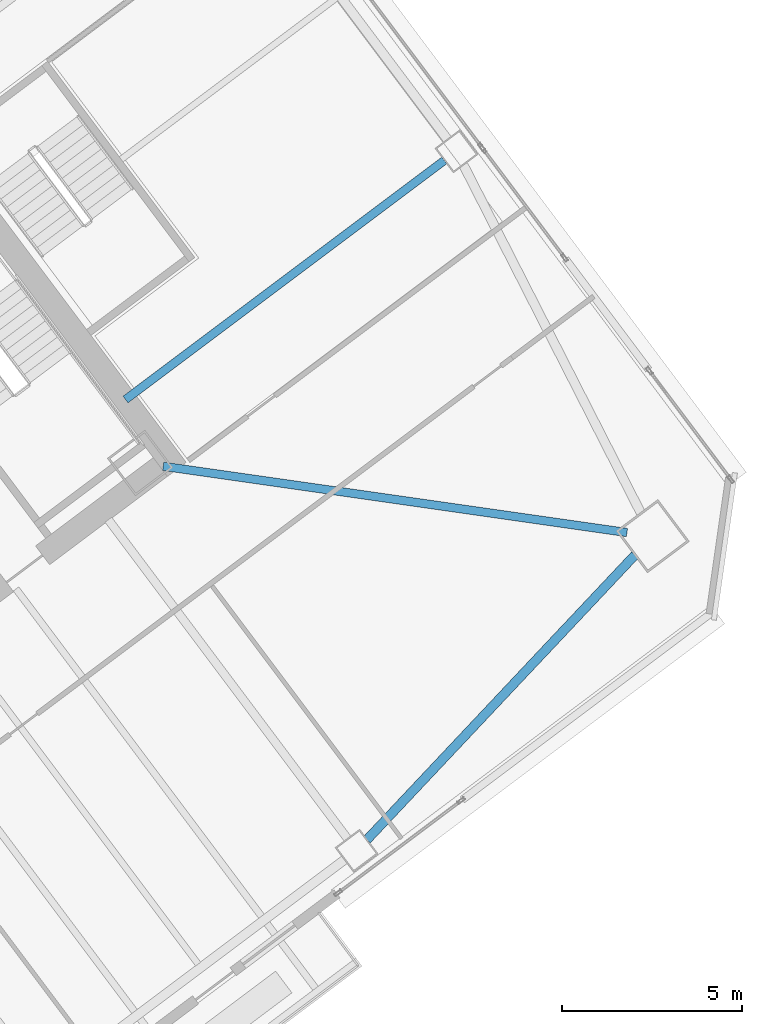
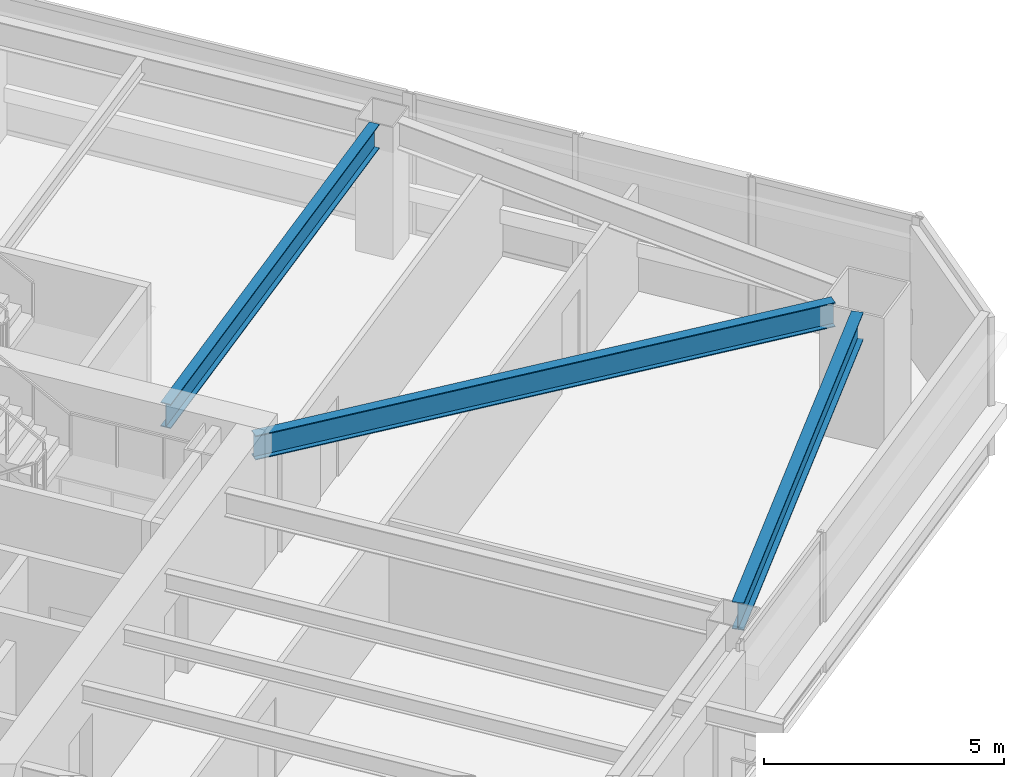
# One storey, part 28 of 48: 3 beams.
"""IFC4 building model written with IfcOpenShell, lengths in metres."""

from ifc_helpers import new_model, si_unit, direction, frame, origin, origin_2d, place, context, subcontext, project, spatial, i_section, extrude, material, material_profile, profile_set, type_object, element, save


model = new_model("IFC4")

# Units and contexts
model_context = context("Model", 3, precision=1e-05, world=origin(), true_north=direction((0.0, 1.0)))
body_context = subcontext(model_context, "Body", "Model", "MODEL_VIEW")
ifc_project = project(units=[si_unit("LENGTHUNIT", "METRE"), si_unit("AREAUNIT", "SQUARE_METRE"), si_unit("VOLUMEUNIT", "CUBIC_METRE"), si_unit("PLANEANGLEUNIT", "RADIAN"), si_unit("MASSUNIT", "GRAM", prefix="KILO")], contexts=[model_context])

# Site, building, storey
site_placement = place(None, origin())
site = spatial("IfcSite", under=ifc_project, at=site_placement, CompositionType="ELEMENT")
building_placement = place(site_placement, origin())
building = spatial("IfcBuilding", under=site, at=building_placement, Name="Tashvorn Skyway Center", CompositionType="ELEMENT")
storey_placement = place(building_placement, frame((0.0, 0.0, 77.85009765625)))
storey = spatial("IfcBuildingStorey", under=building, at=storey_placement, Name="L20", CompositionType="ELEMENT", Elevation=77.85009765625)

# Beams
ifc_material = material(Name="Steel ASTM A992 Grade 50", Category="steel")
ifc_material_profile_1 = material_profile(ifc_material, i_section(OverallWidth=0.22998046875, OverallDepth=0.616943359375, WebThickness=0.01318359375, FlangeThickness=0.022216796875, at=origin_2d()), Name="W24X94")
ifc_profile_set_1 = profile_set([ifc_material_profile_1], Name="Steel ASTM A992 Grade 50")
beam_type_1 = type_object("IfcBeamType", Name="BM-BEAM-W24X94", PredefinedType="BEAM", material=ifc_profile_set_1)
beam_1_placement = place(storey_placement, frame((137.3671875, 28.661865234375, 3.04150390625), z_axis=(-0.989949869571, 0.141418724841, 0.0), x_axis=(-0.141418724841, -0.989949869571, 0.0)))
element("IfcBeam", 1, at=beam_1_placement, inside=storey, type_object=beam_type_1, Name="Tower 2 L20 Primary Floor Girder MC-SE", PredefinedType="BEAM", context=body_context, shape_type="SweptSolid", body=[
    extrude(i_section(OverallWidth=0.22998046875, OverallDepth=0.616943359375, WebThickness=0.01318359375, FlangeThickness=0.022216796875, at=origin_2d()), origin(), (0.0, 0.0, 1.0), 12.9892578125),
])
beam_2_placement = place(storey_placement, frame((132.303955078125, 38.97802734375, 3.04150390625), z_axis=(-0.799989394625, -0.60001414024, 0.0), x_axis=(0.60001414024, -0.799989394625, 0.0)))
element("IfcBeam", 2, at=beam_2_placement, inside=storey, type_object=beam_type_1, Name="Tower 2 L20 Primary Floor Girder FC-E1", PredefinedType="BEAM", context=body_context, shape_type="SweptSolid", body=[
    extrude(i_section(OverallWidth=0.22998046875, OverallDepth=0.616943359375, WebThickness=0.01318359375, FlangeThickness=0.022216796875, at=origin_2d()), origin(), (0.0, 0.0, 1.0), 11.050048828125),
])
ifc_material_profile_2 = material_profile(ifc_material, i_section(OverallWidth=0.256103515625, OverallDepth=0.693115234375, WebThickness=0.014404296875, FlangeThickness=0.023681640625, at=origin_2d()), Name="W27X114")
ifc_profile_set_2 = profile_set([ifc_material_profile_2], Name="Steel ASTM A992 Grade 50")
beam_type_2 = type_object("IfcBeamType", Name="BM-SPANDREL-W27X114", PredefinedType="SPANDREL", material=ifc_profile_set_2)
beam_3_placement = place(storey_placement, frame((130.157958984375, 20.145751953125, 3.00341796875), z_axis=(0.685484857238, 0.728086883893, 0.0), x_axis=(-0.728086883893, 0.685484857238, 0.0)))
element("IfcBeam", 3, at=beam_3_placement, inside=storey, type_object=beam_type_2, Name="Tower 2 L20 Spandrel Beam 03", PredefinedType="SPANDREL", context=body_context, shape_type="SweptSolid", body=[
    extrude(i_section(OverallWidth=0.256103515625, OverallDepth=0.693115234375, WebThickness=0.014404296875, FlangeThickness=0.023681640625, at=origin_2d()), origin(), (0.0, 0.0, 1.0), 10.8369140625),
])

save(model, "model.ifc")
